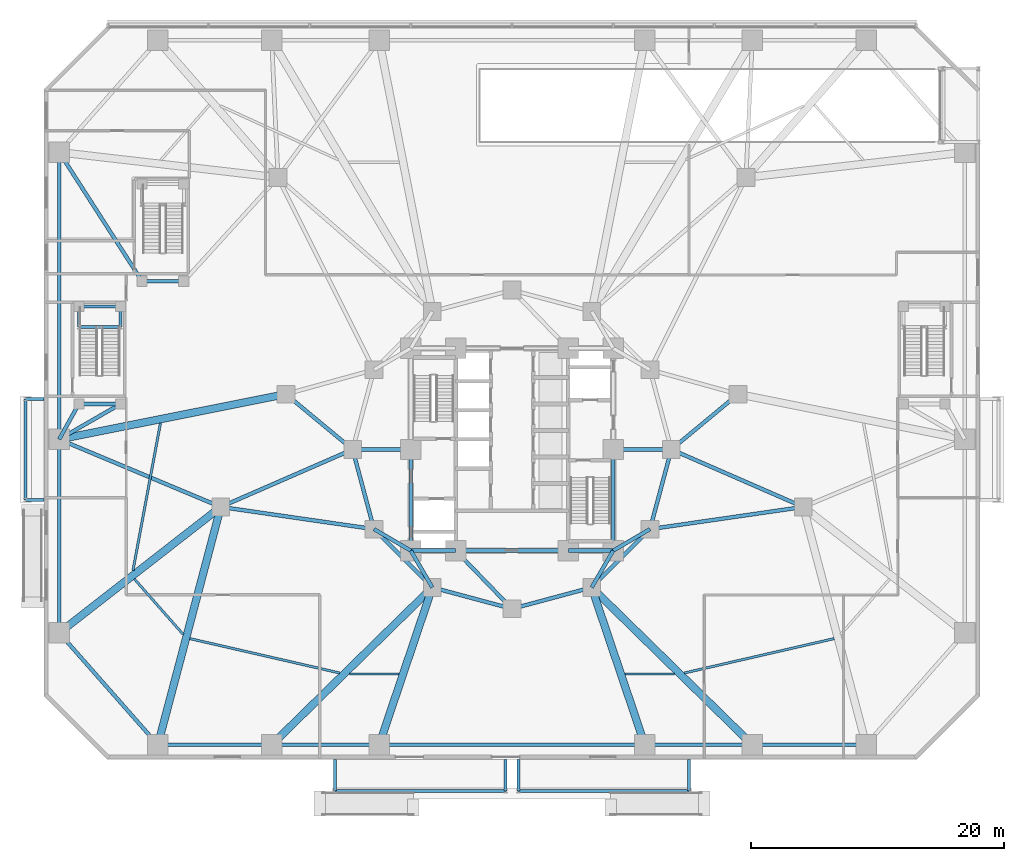
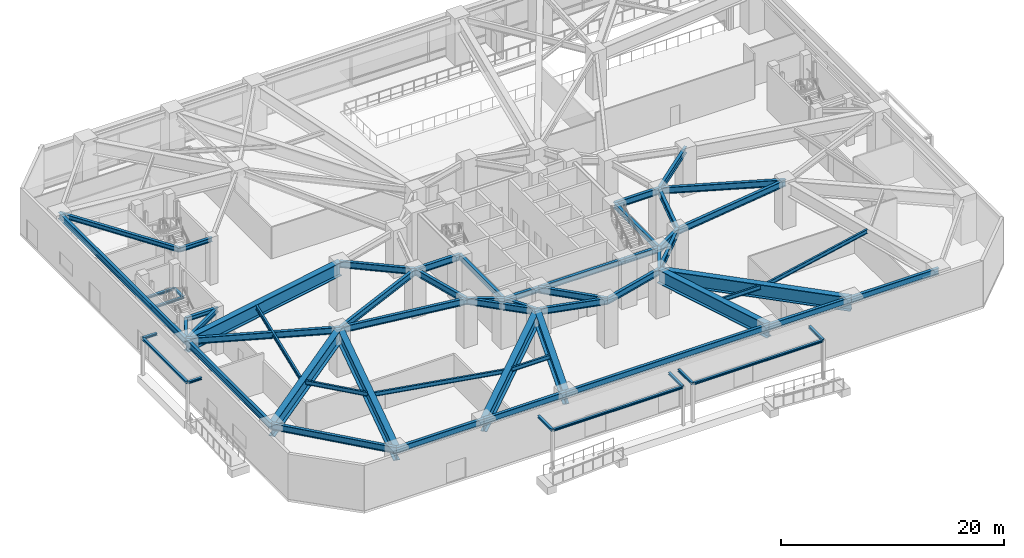
# One storey, part 8 of 30: 64 beams.
"""IFC4 building model written with IfcOpenShell, lengths in metres."""

from ifc_helpers import new_model, si_unit, direction, frame, origin, origin_2d, place, context, subcontext, project, spatial, i_section, extrude, material, material_profile, profile_set, type_object, element, save


model = new_model("IFC4")

# Units and contexts
model_context = context("Model", 3, precision=1e-05, world=origin(), true_north=direction((0.0, 1.0)))
body_context = subcontext(model_context, "Body", "Model", "MODEL_VIEW")
ifc_project = project(units=[si_unit("LENGTHUNIT", "METRE"), si_unit("AREAUNIT", "SQUARE_METRE"), si_unit("VOLUMEUNIT", "CUBIC_METRE"), si_unit("PLANEANGLEUNIT", "RADIAN"), si_unit("MASSUNIT", "GRAM", prefix="KILO")], contexts=[model_context])

# Site, building, storey
site_placement = place(None, origin())
site = spatial("IfcSite", under=ifc_project, at=site_placement, CompositionType="ELEMENT")
building_placement = place(site_placement, origin())
building = spatial("IfcBuilding", under=site, at=building_placement, Name="Terralouvre Media Tower", CompositionType="ELEMENT")
storey_placement = place(building_placement, origin())
storey = spatial("IfcBuildingStorey", under=building, at=storey_placement, Name="L00", CompositionType="ELEMENT", Elevation=0.0)

# Beams
ifc_material_1 = material(Name="Structural steel S355J2", Category="steel")
ifc_material_profile_1 = material_profile(ifc_material_1, i_section(OverallWidth=0.18994140625, OverallDepth=0.449951171875, WebThickness=0.009521484375, FlangeThickness=0.0146484375, at=origin_2d()), Name="IPE 450")
ifc_profile_set_1 = profile_set([ifc_material_profile_1], Name="Structural steel S355J2")
beam_type_1 = type_object("IfcBeamType", Name="Composite Floor Joist J-IPE450 (IPE 450)", PredefinedType="JOIST", material=ifc_profile_set_1)
beam_1_placement = place(storey_placement, frame((-29.853759765625, -10.244873046875, 4.72509765625), z_axis=(0.661194993308, -0.750214089994, 0.0), x_axis=(0.750214089994, 0.661194993308, 0.0)))
element("IfcBeam", 1, at=beam_1_placement, inside=storey, type_object=beam_type_1, Name="L00 Framing Beam JT-L00-01", PredefinedType="JOIST", context=body_context, shape_type="SweptSolid", body=[
    extrude(i_section(OverallWidth=0.18994140625, OverallDepth=0.449951171875, WebThickness=0.009521484375, FlangeThickness=0.0146484375, at=origin_2d()), origin(), (0.0, 0.0, 1.0), 5.830810546875),
])
beam_2_placement = place(storey_placement, frame((-25.470703125, -14.955322265625, 4.72509765625), z_axis=(0.974645278139, -0.223755629651, 0.0), x_axis=(0.223755629651, 0.974645278139, 0.0)))
element("IfcBeam", 2, at=beam_2_placement, inside=storey, type_object=beam_type_1, Name="L00 Framing Beam JT-L00-02", PredefinedType="JOIST", context=body_context, shape_type="SweptSolid", body=[
    extrude(i_section(OverallWidth=0.18994140625, OverallDepth=0.449951171875, WebThickness=0.009521484375, FlangeThickness=0.0146484375, at=origin_2d()), origin(), (0.0, 0.0, 1.0), 12.1484375),
])
for number, where, z_axis, x_axis, name in (
    (3, (-12.858154296875, -17.7529296875, 4.72509765625), (1.0, 0.0, 0.0), (0.0, 1.0, 0.0), "L00 Framing Beam JT-L00-03"),
    (4, (8.924560546875, -17.7529296875, 4.72509765625), (1.0, 0.0, 0.0), (0.0, 1.0, 0.0), "L00 Framing Beam JT-L00-05"),
):
    element("IfcBeam", number, at=place(storey_placement, frame(where, z_axis=z_axis, x_axis=x_axis)), inside=storey, type_object=beam_type_1, Name=name, PredefinedType="JOIST", context=body_context, shape_type="SweptSolid", body=[
        extrude(i_section(OverallWidth=0.18994140625, OverallDepth=0.449951171875, WebThickness=0.009521484375, FlangeThickness=0.0146484375, at=origin_2d()), origin(), (0.0, 0.0, 1.0), 3.93359375),
    ])
beam_3_placement = place(storey_placement, frame((13.63037109375, -17.673583984375, 4.72509765625), z_axis=(0.974645278139, 0.223755629651, 0.0), x_axis=(-0.223755629651, 0.974645278139, 0.0)))
element("IfcBeam", 5, at=beam_3_placement, inside=storey, type_object=beam_type_1, Name="L00 Framing Beam JT-L00-06", PredefinedType="JOIST", context=body_context, shape_type="SweptSolid", body=[
    extrude(i_section(OverallWidth=0.18994140625, OverallDepth=0.449951171875, WebThickness=0.009521484375, FlangeThickness=0.0146484375, at=origin_2d()), origin(), (0.0, 0.0, 1.0), 12.1484375),
])
beam_4_placement = place(storey_placement, frame((-27.79248046875, 2.09228515625, 4.72509765625), z_axis=(-0.183297587005, -0.983057472683, 0.0), x_axis=(0.983057472683, -0.183297587005, 0.0)))
element("IfcBeam", 6, at=beam_4_placement, inside=storey, type_object=beam_type_1, Name="L00 Framing Beam JT-L00-18", PredefinedType="JOIST", context=body_context, shape_type="SweptSolid", body=[
    extrude(i_section(OverallWidth=0.18994140625, OverallDepth=0.449951171875, WebThickness=0.009521484375, FlangeThickness=0.0146484375, at=origin_2d()), origin(), (0.0, 0.0, 1.0), 11.87158203125),
])
ifc_material_2 = material(Name="Structural steel S355J2", Category="steel")
ifc_material_profile_2 = material_profile(ifc_material_2, i_section(OverallWidth=0.239990234375, OverallDepth=0.239990234375, WebThickness=0.010009765625, FlangeThickness=0.01708984375, at=origin_2d()), Name="HEB 240")
ifc_profile_set_2 = profile_set([ifc_material_profile_2], Name="Structural steel S355J2")
beam_type_2 = type_object("IfcBeamType", Name="Opening Lintel Beam LN-240H (HEB 240)", PredefinedType="LINTEL", material=ifc_profile_set_2)
beam_5_placement = place(storey_placement, frame((-14.0, -27.0, 4.080078125), z_axis=(1.0, 0.0, 0.0), x_axis=(0.0, 1.0, 0.0)))
element("IfcBeam", 7, at=beam_5_placement, inside=storey, type_object=beam_type_2, Name="L00 Canopy Framing Beam CANS1-1", PredefinedType="LINTEL", context=body_context, shape_type="SweptSolid", body=[
    extrude(i_section(OverallWidth=0.239990234375, OverallDepth=0.239990234375, WebThickness=0.010009765625, FlangeThickness=0.01708984375, at=origin_2d()), origin(), (0.0, 0.0, 1.0), 13.5),
])
for number, where, z_axis, x_axis, name in (
    (8, (-14.0, -27.0, 4.080078125), (0.0, 1.0, 0.0), (-1.0, 0.0, 0.0), "L00 Canopy Framing Beam CANS1-2"),
    (9, (-0.5, -27.0, 4.080078125), (0.0, 1.0, 0.0), (-1.0, 0.0, 0.0), "L00 Canopy Framing Beam CANS1-3"),
):
    element("IfcBeam", number, at=place(storey_placement, frame(where, z_axis=z_axis, x_axis=x_axis)), inside=storey, type_object=beam_type_2, Name=name, PredefinedType="LINTEL", context=body_context, shape_type="SweptSolid", body=[
        extrude(i_section(OverallWidth=0.239990234375, OverallDepth=0.239990234375, WebThickness=0.010009765625, FlangeThickness=0.01708984375, at=origin_2d()), origin(), (0.0, 0.0, 1.0), 2.5),
    ])
beam_6_placement = place(storey_placement, frame((0.5, -27.0, 4.080078125), z_axis=(1.0, 0.0, 0.0), x_axis=(0.0, 1.0, 0.0)))
element("IfcBeam", 10, at=beam_6_placement, inside=storey, type_object=beam_type_2, Name="L00 Canopy Framing Beam CANS2-1", PredefinedType="LINTEL", context=body_context, shape_type="SweptSolid", body=[
    extrude(i_section(OverallWidth=0.239990234375, OverallDepth=0.239990234375, WebThickness=0.010009765625, FlangeThickness=0.01708984375, at=origin_2d()), origin(), (0.0, 0.0, 1.0), 13.5),
])
for number, where, z_axis, x_axis, name in (
    (11, (0.5, -27.0, 4.080078125), (0.0, 1.0, 0.0), (-1.0, 0.0, 0.0), "L00 Canopy Framing Beam CANS2-2"),
    (12, (14.0, -27.0, 4.080078125), (0.0, 1.0, 0.0), (-1.0, 0.0, 0.0), "L00 Canopy Framing Beam CANS2-3"),
):
    element("IfcBeam", number, at=place(storey_placement, frame(where, z_axis=z_axis, x_axis=x_axis)), inside=storey, type_object=beam_type_2, Name=name, PredefinedType="LINTEL", context=body_context, shape_type="SweptSolid", body=[
        extrude(i_section(OverallWidth=0.239990234375, OverallDepth=0.239990234375, WebThickness=0.010009765625, FlangeThickness=0.01708984375, at=origin_2d()), origin(), (0.0, 0.0, 1.0), 2.5),
    ])
beam_7_placement = place(storey_placement, frame((-38.449951171875, -4.0, 3.8798828125), z_axis=(0.0, 1.0, 0.0), x_axis=(-1.0, 0.0, 0.0)))
element("IfcBeam", 13, at=beam_7_placement, inside=storey, type_object=beam_type_2, Name="L00 Canopy Framing Beam CANW1-1", PredefinedType="LINTEL", context=body_context, shape_type="SweptSolid", body=[
    extrude(i_section(OverallWidth=0.239990234375, OverallDepth=0.239990234375, WebThickness=0.010009765625, FlangeThickness=0.01708984375, at=origin_2d()), origin(), (0.0, 0.0, 1.0), 8.0),
])
for number, where, z_axis, x_axis, name in (
    (14, (-38.449951171875, -4.0, 3.8798828125), (1.0, 0.0, 0.0), (0.0, 1.0, 0.0), "L00 Canopy Framing Beam CANW1-2"),
    (15, (-38.449951171875, 4.0, 3.8798828125), (1.0, 0.0, 0.0), (0.0, 1.0, 0.0), "L00 Canopy Framing Beam CANW1-3"),
):
    element("IfcBeam", number, at=place(storey_placement, frame(where, z_axis=z_axis, x_axis=x_axis)), inside=storey, type_object=beam_type_2, Name=name, PredefinedType="LINTEL", context=body_context, shape_type="SweptSolid", body=[
        extrude(i_section(OverallWidth=0.239990234375, OverallDepth=0.239990234375, WebThickness=0.010009765625, FlangeThickness=0.01708984375, at=origin_2d()), origin(), (0.0, 0.0, 1.0), 1.449951171875),
    ])
for number, where, z_axis, x_axis, name in (
    (16, (-34.25, 9.679931640625, 2.280029296875), (0.0, 1.0, 0.0), (-1.0, 0.0, 0.0), "L00 ST-03 Intermediate Landing Support Beam 1W"),
    (17, (-30.949951171875, 9.679931640625, 2.280029296875), (0.0, 1.0, 0.0), (-1.0, 0.0, 0.0), "L00 ST-03 Intermediate Landing Support Beam 1E"),
):
    element("IfcBeam", number, at=place(storey_placement, frame(where, z_axis=z_axis, x_axis=x_axis)), inside=storey, type_object=beam_type_2, Name=name, PredefinedType="LINTEL", context=body_context, shape_type="SweptSolid", body=[
        extrude(i_section(OverallWidth=0.239990234375, OverallDepth=0.239990234375, WebThickness=0.010009765625, FlangeThickness=0.01708984375, at=origin_2d()), origin(), (0.0, 0.0, 1.0), 1.6201171875),
    ])
for number, where, z_axis, x_axis, name in (
    (18, (-34.25, 9.679931640625, 2.280029296875), (1.0, 0.0, 0.0), (0.0, 1.0, 0.0), "L00 ST-03 Intermediate Landing Support Beam 1S"),
    (19, (-34.25, 11.300048828125, 2.280029296875), (1.0, 0.0, 0.0), (0.0, 1.0, 0.0), "L00 ST-03 Intermediate Landing Support Beam 1X"),
):
    element("IfcBeam", number, at=place(storey_placement, frame(where, z_axis=z_axis, x_axis=x_axis)), inside=storey, type_object=beam_type_2, Name=name, PredefinedType="LINTEL", context=body_context, shape_type="SweptSolid", body=[
        extrude(i_section(OverallWidth=0.239990234375, OverallDepth=0.239990234375, WebThickness=0.010009765625, FlangeThickness=0.01708984375, at=origin_2d()), origin(), (0.0, 0.0, 1.0), 3.300048828125),
    ])
ifc_material_3 = material(Name="Structural steel S355J2", Category="steel")
ifc_material_profile_3 = material_profile(ifc_material_3, i_section(OverallWidth=0.300048828125, OverallDepth=0.449951171875, WebThickness=0.013916015625, FlangeThickness=0.02587890625, at=origin_2d()), Name="HEB 450")
ifc_profile_set_3 = profile_set([ifc_material_profile_3], Name="Structural steel S355J2")
beam_type_3 = type_object("IfcBeamType", Name="Primary Floor Girder B-HEB450 (HEB 450)", PredefinedType="BEAM", material=ifc_profile_set_3)
for number, where, z_axis, x_axis, name in (
    (20, (-34.25, 3.60009765625, 4.72509765625), (1.0, 0.0, 0.0), (0.0, 1.0, 0.0), "L00 Framing Beam BM-L00-PVST31"),
    (21, (-29.25, 13.300048828125, 4.72509765625), (1.0, 0.0, 0.0), (0.0, 1.0, 0.0), "L00 Framing Beam BM-L00-PVST61"),
):
    element("IfcBeam", number, at=place(storey_placement, frame(where, z_axis=z_axis, x_axis=x_axis)), inside=storey, type_object=beam_type_3, Name=name, PredefinedType="BEAM", context=body_context, shape_type="SweptSolid", body=[
        extrude(i_section(OverallWidth=0.300048828125, OverallDepth=0.449951171875, WebThickness=0.013916015625, FlangeThickness=0.02587890625, at=origin_2d()), origin(), (0.0, 0.0, 1.0), 3.300048828125),
    ])
ifc_material_4 = material(Name="Structural steel S355J2", Category="steel")
ifc_material_profile_4 = material_profile(ifc_material_4, i_section(OverallWidth=0.300048828125, OverallDepth=0.5, WebThickness=0.014404296875, FlangeThickness=0.028076171875, at=origin_2d()), Name="HEB 500")
ifc_profile_set_4 = profile_set([ifc_material_profile_4], Name="Structural steel S355J2")
beam_type_4 = type_object("IfcBeamType", Name="Primary Floor Girder B-HEB500 (HEB 500)", PredefinedType="BEAM", material=ifc_profile_set_4)
beam_8_placement = place(storey_placement, frame((-34.25, 3.60009765625, 4.699951171875), z_axis=(-0.484321096397, -0.874890322032, 0.0), x_axis=(0.874890322032, -0.484321096397, 0.0)))
element("IfcBeam", 22, at=beam_8_placement, inside=storey, type_object=beam_type_4, Name="L00 Framing Beam BM-L00-PVTST31", PredefinedType="BEAM", context=body_context, shape_type="SweptSolid", body=[
    extrude(i_section(OverallWidth=0.300048828125, OverallDepth=0.5, WebThickness=0.014404296875, FlangeThickness=0.028076171875, at=origin_2d()), origin(), (0.0, 0.0, 1.0), 3.200439453125),
])
beam_9_placement = place(storey_placement, frame((-30.949951171875, 3.60009765625, 4.699951171875), z_axis=(-0.866037493094, -0.499979060117, 0.0), x_axis=(0.499979060117, -0.866037493094, 0.0)))
element("IfcBeam", 23, at=beam_9_placement, inside=storey, type_object=beam_type_4, Name="L00 Framing Beam BM-L00-PVTST32", PredefinedType="BEAM", context=body_context, shape_type="SweptSolid", body=[
    extrude(i_section(OverallWidth=0.300048828125, OverallDepth=0.5, WebThickness=0.014404296875, FlangeThickness=0.028076171875, at=origin_2d()), origin(), (0.0, 0.0, 1.0), 5.600341796875),
])
beam_10_placement = place(storey_placement, frame((-29.25, 13.300048828125, 4.699951171875), z_axis=(-0.540345267359, 0.841443398003, 0.0), x_axis=(-0.841443398003, -0.540345267359, 0.0)))
element("IfcBeam", 24, at=beam_10_placement, inside=storey, type_object=beam_type_4, Name="L00 Framing Beam BM-L00-PVTST61", PredefinedType="BEAM", context=body_context, shape_type="SweptSolid", body=[
    extrude(i_section(OverallWidth=0.300048828125, OverallDepth=0.5, WebThickness=0.014404296875, FlangeThickness=0.028076171875, at=origin_2d()), origin(), (0.0, 0.0, 1.0), 12.1220703125),
])
ifc_material_5 = material(Name="Structural steel S460M", Category="steel")
ifc_material_profile_5 = material_profile(ifc_material_5, i_section(OverallWidth=0.300048828125, OverallDepth=0.60009765625, WebThickness=0.015380859375, FlangeThickness=0.030029296875, at=origin_2d()), Name="HEB 600")
ifc_profile_set_5 = profile_set([ifc_material_profile_5], Name="Structural steel S460M")
beam_type_5 = type_object("IfcBeamType", Name="Primary Floor Girder B-HEB600 (HEB 600)", PredefinedType="BEAM", material=ifc_profile_set_5)
beam_11_placement = place(storey_placement, frame((-8.0, -8.0, 4.64990234375), z_axis=(1.0, 0.0, 0.0), x_axis=(0.0, 1.0, 0.0)))
element("IfcBeam", 25, at=beam_11_placement, inside=storey, type_object=beam_type_5, Name="L00 Framing Beam BM-L00-CPR01", PredefinedType="BEAM", context=body_context, shape_type="SweptSolid", body=[
    extrude(i_section(OverallWidth=0.300048828125, OverallDepth=0.60009765625, WebThickness=0.015380859375, FlangeThickness=0.030029296875, at=origin_2d()), origin(), (0.0, 0.0, 1.0), 3.550048828125),
])
beam_12_placement = place(storey_placement, frame((-4.449951171875, -8.0, 4.64990234375), z_axis=(1.0, 0.0, 0.0), x_axis=(0.0, 1.0, 0.0)))
element("IfcBeam", 26, at=beam_12_placement, inside=storey, type_object=beam_type_5, Name="L00 Framing Beam BM-L00-CPR02", PredefinedType="BEAM", context=body_context, shape_type="SweptSolid", body=[
    extrude(i_section(OverallWidth=0.300048828125, OverallDepth=0.60009765625, WebThickness=0.015380859375, FlangeThickness=0.030029296875, at=origin_2d()), origin(), (0.0, 0.0, 1.0), 8.89990234375),
])
beam_13_placement = place(storey_placement, frame((4.449951171875, -8.0, 4.64990234375), z_axis=(1.0, 0.0, 0.0), x_axis=(0.0, 1.0, 0.0)))
element("IfcBeam", 27, at=beam_13_placement, inside=storey, type_object=beam_type_5, Name="L00 Framing Beam BM-L00-CPR03", PredefinedType="BEAM", context=body_context, shape_type="SweptSolid", body=[
    extrude(i_section(OverallWidth=0.300048828125, OverallDepth=0.60009765625, WebThickness=0.015380859375, FlangeThickness=0.030029296875, at=origin_2d()), origin(), (0.0, 0.0, 1.0), 3.550048828125),
])
for number, where, z_axis, x_axis, name in (
    (28, (8.0, -8.0, 4.64990234375), (0.0, 1.0, 0.0), (-1.0, 0.0, 0.0), "L00 Framing Beam BM-L00-CPR04"),
    (29, (-8.0, 0.0, 4.64990234375), (0.0, -1.0, 0.0), (1.0, 0.0, 0.0), "L00 Framing Beam BM-L00-CPR10"),
):
    element("IfcBeam", number, at=place(storey_placement, frame(where, z_axis=z_axis, x_axis=x_axis)), inside=storey, type_object=beam_type_5, Name=name, PredefinedType="BEAM", context=body_context, shape_type="SweptSolid", body=[
        extrude(i_section(OverallWidth=0.300048828125, OverallDepth=0.60009765625, WebThickness=0.015380859375, FlangeThickness=0.030029296875, at=origin_2d()), origin(), (0.0, 0.0, 1.0), 8.0),
    ])
ifc_material_6 = material(Name="Structural steel S460M", Category="steel")
ifc_material_profile_6 = material_profile(ifc_material_6, i_section(OverallWidth=0.300048828125, OverallDepth=0.699951171875, WebThickness=0.01708984375, FlangeThickness=0.031982421875, at=origin_2d()), Name="HEB 700")
ifc_profile_set_6 = profile_set([ifc_material_profile_6], Name="Structural steel S460M")
beam_type_6 = type_object("IfcBeamType", Name="Primary Floor Girder B-HEB700 (HEB 700)", PredefinedType="BEAM", material=ifc_profile_set_6)
beam_14_placement = place(storey_placement, frame((-10.911865234375, -6.300048828125, 4.60009765625), z_axis=(0.707106781187, -0.707106781187, 0.0), x_axis=(0.707106781187, 0.707106781187, 0.0)))
element("IfcBeam", 30, at=beam_14_placement, inside=storey, type_object=beam_type_6, Name="L00 Framing Beam BM-L00-MR01", PredefinedType="BEAM", context=body_context, shape_type="SweptSolid", body=[
    extrude(i_section(OverallWidth=0.300048828125, OverallDepth=0.699951171875, WebThickness=0.01708984375, FlangeThickness=0.031982421875, at=origin_2d()), origin(), (0.0, 0.0, 1.0), 6.52197265625),
])
for number, where, z_axis, x_axis, name in (
    (31, (-6.300048828125, -10.911865234375, 4.60009765625), (0.965920481897, -0.258838989821, 0.0), (0.258838989821, 0.965920481897, 0.0), "L00 Framing Beam BM-L00-MR02"),
    (32, (0.0, -12.60009765625, 4.60009765625), (0.965920481897, 0.258838989821, 0.0), (-0.258838989821, 0.965920481897, 0.0), "L00 Framing Beam BM-L00-MR03"),
):
    element("IfcBeam", number, at=place(storey_placement, frame(where, z_axis=z_axis, x_axis=x_axis)), inside=storey, type_object=beam_type_6, Name=name, PredefinedType="BEAM", context=body_context, shape_type="SweptSolid", body=[
        extrude(i_section(OverallWidth=0.300048828125, OverallDepth=0.699951171875, WebThickness=0.01708984375, FlangeThickness=0.031982421875, at=origin_2d()), origin(), (0.0, 0.0, 1.0), 6.522216796875),
    ])
beam_15_placement = place(storey_placement, frame((6.300048828125, -10.911865234375, 4.60009765625), z_axis=(0.707106781187, 0.707106781187, 0.0), x_axis=(-0.707106781187, 0.707106781187, 0.0)))
element("IfcBeam", 33, at=beam_15_placement, inside=storey, type_object=beam_type_6, Name="L00 Framing Beam BM-L00-MR04", PredefinedType="BEAM", context=body_context, shape_type="SweptSolid", body=[
    extrude(i_section(OverallWidth=0.300048828125, OverallDepth=0.699951171875, WebThickness=0.01708984375, FlangeThickness=0.031982421875, at=origin_2d()), origin(), (0.0, 0.0, 1.0), 6.52197265625),
])
for number, where, z_axis, x_axis, name in (
    (34, (10.911865234375, -6.300048828125, 4.60009765625), (0.258838989821, 0.965920481897, 0.0), (-0.965920481897, 0.258838989821, 0.0), "L00 Framing Beam BM-L00-MR05"),
    (35, (-12.60009765625, 0.0, 4.60009765625), (0.258838989821, -0.965920481897, 0.0), (0.965920481897, 0.258838989821, 0.0), "L00 Framing Beam BM-L00-MR12"),
):
    element("IfcBeam", number, at=place(storey_placement, frame(where, z_axis=z_axis, x_axis=x_axis)), inside=storey, type_object=beam_type_6, Name=name, PredefinedType="BEAM", context=body_context, shape_type="SweptSolid", body=[
        extrude(i_section(OverallWidth=0.300048828125, OverallDepth=0.699951171875, WebThickness=0.01708984375, FlangeThickness=0.031982421875, at=origin_2d()), origin(), (0.0, 0.0, 1.0), 6.522216796875),
    ])
for number, where, z_axis, x_axis, name in (
    (36, (-8.0, -8.0, 4.60009765625), (-0.863602894532, 0.504172629717, 0.0), (-0.504172629717, -0.863602894532, 0.0), "L00 Framing Beam BM-L00-CM01"),
    (37, (-8.0, -8.0, 4.60009765625), (0.504172629717, -0.863602894532, 0.0), (0.863602894532, 0.504172629717, 0.0), "L00 Framing Beam BM-L00-CM02"),
):
    element("IfcBeam", number, at=place(storey_placement, frame(where, z_axis=z_axis, x_axis=x_axis)), inside=storey, type_object=beam_type_6, Name=name, PredefinedType="BEAM", context=body_context, shape_type="SweptSolid", body=[
        extrude(i_section(OverallWidth=0.300048828125, OverallDepth=0.699951171875, WebThickness=0.01708984375, FlangeThickness=0.031982421875, at=origin_2d()), origin(), (0.0, 0.0, 1.0), 3.371826171875),
    ])
beam_16_placement = place(storey_placement, frame((-4.449951171875, -8.0, 4.60009765625), z_axis=(0.695279715726, -0.718739255155, 0.0), x_axis=(0.718739255155, 0.695279715726, 0.0)))
element("IfcBeam", 38, at=beam_16_placement, inside=storey, type_object=beam_type_6, Name="L00 Framing Beam BM-L00-CM03", PredefinedType="BEAM", context=body_context, shape_type="SweptSolid", body=[
    extrude(i_section(OverallWidth=0.300048828125, OverallDepth=0.699951171875, WebThickness=0.01708984375, FlangeThickness=0.031982421875, at=origin_2d()), origin(), (0.0, 0.0, 1.0), 6.400146484375),
])
for number, where, z_axis, x_axis, name in (
    (39, (8.0, -8.0, 4.60009765625), (-0.504172629717, -0.863602894532, 0.0), (0.863602894532, -0.504172629717, 0.0), "L00 Framing Beam BM-L00-CM04"),
    (40, (8.0, -8.0, 4.60009765625), (0.863602894532, 0.504172629717, 0.0), (-0.504172629717, 0.863602894532, 0.0), "L00 Framing Beam BM-L00-CM05"),
):
    element("IfcBeam", number, at=place(storey_placement, frame(where, z_axis=z_axis, x_axis=x_axis)), inside=storey, type_object=beam_type_6, Name=name, PredefinedType="BEAM", context=body_context, shape_type="SweptSolid", body=[
        extrude(i_section(OverallWidth=0.300048828125, OverallDepth=0.699951171875, WebThickness=0.01708984375, FlangeThickness=0.031982421875, at=origin_2d()), origin(), (0.0, 0.0, 1.0), 3.371826171875),
    ])
for number, where, z_axis, x_axis, name in (
    (41, (8.0, 0.0, 4.60009765625), (1.0, 0.0, 0.0), (0.0, 1.0, 0.0), "L00 Framing Beam BM-L00-CM06"),
    (42, (-8.0, 0.0, 4.60009765625), (-1.0, 0.0, 0.0), (0.0, -1.0, 0.0), "L00 Framing Beam BM-L00-CM12"),
):
    element("IfcBeam", number, at=place(storey_placement, frame(where, z_axis=z_axis, x_axis=x_axis)), inside=storey, type_object=beam_type_6, Name=name, PredefinedType="BEAM", context=body_context, shape_type="SweptSolid", body=[
        extrude(i_section(OverallWidth=0.300048828125, OverallDepth=0.699951171875, WebThickness=0.01708984375, FlangeThickness=0.031982421875, at=origin_2d()), origin(), (0.0, 0.0, 1.0), 4.60009765625),
    ])
beam_17_placement = place(storey_placement, frame((12.60009765625, 0.0, 4.60009765625), z_axis=(0.916615903868, -0.399769039291, 0.0), x_axis=(0.399769039291, 0.916615903868, 0.0)))
element("IfcBeam", 43, at=beam_17_placement, inside=storey, type_object=beam_type_6, Name="L00 Framing Beam BM-L00-PM21M1", PredefinedType="BEAM", context=body_context, shape_type="SweptSolid", body=[
    extrude(i_section(OverallWidth=0.300048828125, OverallDepth=0.699951171875, WebThickness=0.01708984375, FlangeThickness=0.031982421875, at=origin_2d()), origin(), (0.0, 0.0, 1.0), 11.373046875),
])
beam_18_placement = place(storey_placement, frame((10.911865234375, -6.300048828125, 4.60009765625), z_axis=(0.989684877742, 0.143261448996, 0.0), x_axis=(-0.143261448996, 0.989684877742, 0.0)))
element("IfcBeam", 44, at=beam_18_placement, inside=storey, type_object=beam_type_6, Name="L00 Framing Beam BM-L00-PM21M2", PredefinedType="BEAM", context=body_context, shape_type="SweptSolid", body=[
    extrude(i_section(OverallWidth=0.300048828125, OverallDepth=0.699951171875, WebThickness=0.01708984375, FlangeThickness=0.031982421875, at=origin_2d()), origin(), (0.0, 0.0, 1.0), 12.2392578125),
])
for number, where, z_axis, x_axis, name in (
    (45, (12.60009765625, 0.0, 4.60009765625), (0.769816459478, 0.638265320001, 0.0), (-0.638265320001, 0.769816459478, 0.0), "L00 Framing Beam BM-L00-PM22M1"),
    (46, (-12.60009765625, 0.0, 4.60009765625), (-0.769816459478, 0.638265320001, 0.0), (-0.638265320001, -0.769816459478, 0.0), "L00 Framing Beam BM-L00-PM23M1"),
):
    element("IfcBeam", number, at=place(storey_placement, frame(where, z_axis=z_axis, x_axis=x_axis)), inside=storey, type_object=beam_type_6, Name=name, PredefinedType="BEAM", context=body_context, shape_type="SweptSolid", body=[
        extrude(i_section(OverallWidth=0.300048828125, OverallDepth=0.699951171875, WebThickness=0.01708984375, FlangeThickness=0.031982421875, at=origin_2d()), origin(), (0.0, 0.0, 1.0), 6.851806640625),
    ])
beam_19_placement = place(storey_placement, frame((-12.60009765625, 0.0, 4.60009765625), z_axis=(-0.916615903868, -0.399769039291, 0.0), x_axis=(0.399769039291, -0.916615903868, 0.0)))
element("IfcBeam", 47, at=beam_19_placement, inside=storey, type_object=beam_type_6, Name="L00 Framing Beam BM-L00-PM24M1", PredefinedType="BEAM", context=body_context, shape_type="SweptSolid", body=[
    extrude(i_section(OverallWidth=0.300048828125, OverallDepth=0.699951171875, WebThickness=0.01708984375, FlangeThickness=0.031982421875, at=origin_2d()), origin(), (0.0, 0.0, 1.0), 11.373046875),
])
beam_20_placement = place(storey_placement, frame((-10.911865234375, -6.300048828125, 4.60009765625), z_axis=(-0.989684877742, 0.143261448996, 0.0), x_axis=(-0.143261448996, -0.989684877742, 0.0)))
element("IfcBeam", 48, at=beam_20_placement, inside=storey, type_object=beam_type_6, Name="L00 Framing Beam BM-L00-PM24M2", PredefinedType="BEAM", context=body_context, shape_type="SweptSolid", body=[
    extrude(i_section(OverallWidth=0.300048828125, OverallDepth=0.699951171875, WebThickness=0.01708984375, FlangeThickness=0.031982421875, at=origin_2d()), origin(), (0.0, 0.0, 1.0), 12.2392578125),
])
beam_21_placement = place(storey_placement, frame((-23.02490234375, -4.546630859375, 4.60009765625), z_axis=(-0.922468147364, 0.386073201737, 0.0), x_axis=(-0.386073201737, -0.922468147364, 0.0)))
element("IfcBeam", 49, at=beam_21_placement, inside=storey, type_object=beam_type_6, Name="L00 Framing Beam BM-L00-PM24P1", PredefinedType="BEAM", context=body_context, shape_type="SweptSolid", body=[
    extrude(i_section(OverallWidth=0.300048828125, OverallDepth=0.699951171875, WebThickness=0.01708984375, FlangeThickness=0.031982421875, at=origin_2d()), origin(), (0.0, 0.0, 1.0), 13.848876953125),
])
beam_22_placement = place(storey_placement, frame((-35.800048828125, -14.5, 4.60009765625), z_axis=(0.661199207896, -0.75021037548, 0.0), x_axis=(0.75021037548, 0.661199207896, 0.0)))
element("IfcBeam", 50, at=beam_22_placement, inside=storey, type_object=beam_type_6, Name="L00 Framing Beam BM-L00-PR01", PredefinedType="BEAM", context=body_context, shape_type="SweptSolid", body=[
    extrude(i_section(OverallWidth=0.300048828125, OverallDepth=0.699951171875, WebThickness=0.01708984375, FlangeThickness=0.031982421875, at=origin_2d()), origin(), (0.0, 0.0, 1.0), 11.796875),
])
beam_23_placement = place(storey_placement, frame((-28.0, -23.35009765625, 4.60009765625), z_axis=(1.0, 0.0, 0.0), x_axis=(0.0, 1.0, 0.0)))
element("IfcBeam", 51, at=beam_23_placement, inside=storey, type_object=beam_type_6, Name="L00 Framing Beam BM-L00-PR02", PredefinedType="BEAM", context=body_context, shape_type="SweptSolid", body=[
    extrude(i_section(OverallWidth=0.300048828125, OverallDepth=0.699951171875, WebThickness=0.01708984375, FlangeThickness=0.031982421875, at=origin_2d()), origin(), (0.0, 0.0, 1.0), 9.0),
])
beam_24_placement = place(storey_placement, frame((-19.0, -23.35009765625, 4.60009765625), z_axis=(1.0, 0.0, 0.0), x_axis=(0.0, 1.0, 0.0)))
element("IfcBeam", 52, at=beam_24_placement, inside=storey, type_object=beam_type_6, Name="L00 Framing Beam BM-L00-PR03", PredefinedType="BEAM", context=body_context, shape_type="SweptSolid", body=[
    extrude(i_section(OverallWidth=0.300048828125, OverallDepth=0.699951171875, WebThickness=0.01708984375, FlangeThickness=0.031982421875, at=origin_2d()), origin(), (0.0, 0.0, 1.0), 8.5),
])
beam_25_placement = place(storey_placement, frame((-10.5, -23.35009765625, 4.60009765625), z_axis=(1.0, 0.0, 0.0), x_axis=(0.0, 1.0, 0.0)))
element("IfcBeam", 53, at=beam_25_placement, inside=storey, type_object=beam_type_6, Name="L00 Framing Beam BM-L00-PR04", PredefinedType="BEAM", context=body_context, shape_type="SweptSolid", body=[
    extrude(i_section(OverallWidth=0.300048828125, OverallDepth=0.699951171875, WebThickness=0.01708984375, FlangeThickness=0.031982421875, at=origin_2d()), origin(), (0.0, 0.0, 1.0), 21.0),
])
beam_26_placement = place(storey_placement, frame((10.5, -23.35009765625, 4.60009765625), z_axis=(1.0, 0.0, 0.0), x_axis=(0.0, 1.0, 0.0)))
element("IfcBeam", 54, at=beam_26_placement, inside=storey, type_object=beam_type_6, Name="L00 Framing Beam BM-L00-PR05", PredefinedType="BEAM", context=body_context, shape_type="SweptSolid", body=[
    extrude(i_section(OverallWidth=0.300048828125, OverallDepth=0.699951171875, WebThickness=0.01708984375, FlangeThickness=0.031982421875, at=origin_2d()), origin(), (0.0, 0.0, 1.0), 8.5),
])
beam_27_placement = place(storey_placement, frame((19.0, -23.35009765625, 4.60009765625), z_axis=(1.0, 0.0, 0.0), x_axis=(0.0, 1.0, 0.0)))
element("IfcBeam", 55, at=beam_27_placement, inside=storey, type_object=beam_type_6, Name="L00 Framing Beam BM-L00-PR06", PredefinedType="BEAM", context=body_context, shape_type="SweptSolid", body=[
    extrude(i_section(OverallWidth=0.300048828125, OverallDepth=0.699951171875, WebThickness=0.01708984375, FlangeThickness=0.031982421875, at=origin_2d()), origin(), (0.0, 0.0, 1.0), 9.0),
])
beam_28_placement = place(storey_placement, frame((-35.800048828125, 23.5, 4.60009765625), z_axis=(0.0, -1.0, 0.0), x_axis=(1.0, 0.0, 0.0)))
element("IfcBeam", 56, at=beam_28_placement, inside=storey, type_object=beam_type_6, Name="L00 Framing Beam BM-L00-PR17", PredefinedType="BEAM", context=body_context, shape_type="SweptSolid", body=[
    extrude(i_section(OverallWidth=0.300048828125, OverallDepth=0.699951171875, WebThickness=0.01708984375, FlangeThickness=0.031982421875, at=origin_2d()), origin(), (0.0, 0.0, 1.0), 22.699951171875),
])
beam_29_placement = place(storey_placement, frame((-35.800048828125, 0.800048828125, 4.60009765625), z_axis=(0.0, -1.0, 0.0), x_axis=(1.0, 0.0, 0.0)))
element("IfcBeam", 57, at=beam_29_placement, inside=storey, type_object=beam_type_6, Name="L00 Framing Beam BM-L00-PR18", PredefinedType="BEAM", context=body_context, shape_type="SweptSolid", body=[
    extrude(i_section(OverallWidth=0.300048828125, OverallDepth=0.699951171875, WebThickness=0.01708984375, FlangeThickness=0.031982421875, at=origin_2d()), origin(), (0.0, 0.0, 1.0), 15.300048828125),
])
ifc_material_7 = material(Name="Structural steel S460M", Category="steel")
ifc_material_profile_7 = material_profile(ifc_material_7, i_section(OverallWidth=0.60009765625, OverallDepth=1.5, WebThickness=0.033935546875, FlangeThickness=0.054931640625, at=origin_2d()), Name="PG 1500x600")
ifc_profile_set_7 = profile_set([ifc_material_profile_7], Name="Structural steel S460M")
beam_type_7 = type_object("IfcBeamType", Name="Primary Floor Girder B-PG1500 (PG 1500x600)", PredefinedType="BEAM", material=ifc_profile_set_7)
beam_30_placement = place(storey_placement, frame((-23.02490234375, -4.546630859375, 4.199951171875), z_axis=(-0.788838921833, -0.614599996259, 0.0), x_axis=(0.614599996259, -0.788838921833, 0.0)))
element("IfcBeam", 58, at=beam_30_placement, inside=storey, type_object=beam_type_7, Name="L00 Framing Beam BM-L00-RD01", PredefinedType="BEAM", context=body_context, shape_type="SweptSolid", body=[
    extrude(i_section(OverallWidth=0.60009765625, OverallDepth=1.5, WebThickness=0.033935546875, FlangeThickness=0.054931640625, at=origin_2d()), origin(), (0.0, 0.0, 1.0), 16.19482421875),
])
beam_31_placement = place(storey_placement, frame((-23.02490234375, -4.546630859375, 4.199951171875), z_axis=(-0.25578250381, -0.966734353762, 0.0), x_axis=(0.966734353762, -0.25578250381, 0.0)))
element("IfcBeam", 59, at=beam_31_placement, inside=storey, type_object=beam_type_7, Name="L00 Framing Beam BM-L00-RD02", PredefinedType="BEAM", context=body_context, shape_type="SweptSolid", body=[
    extrude(i_section(OverallWidth=0.60009765625, OverallDepth=1.5, WebThickness=0.033935546875, FlangeThickness=0.054931640625, at=origin_2d()), origin(), (0.0, 0.0, 1.0), 19.450439453125),
])
beam_32_placement = place(storey_placement, frame((-6.300048828125, -10.911865234375, 4.199951171875), z_axis=(-0.714429895313, -0.69970702775, 0.0), x_axis=(0.69970702775, -0.714429895313, 0.0)))
element("IfcBeam", 60, at=beam_32_placement, inside=storey, type_object=beam_type_7, Name="L00 Framing Beam BM-L00-RD03", PredefinedType="BEAM", context=body_context, shape_type="SweptSolid", body=[
    extrude(i_section(OverallWidth=0.60009765625, OverallDepth=1.5, WebThickness=0.033935546875, FlangeThickness=0.054931640625, at=origin_2d()), origin(), (0.0, 0.0, 1.0), 17.7763671875),
])
for number, where, z_axis, x_axis, name in (
    (61, (-6.300048828125, -10.911865234375, 4.199951171875), (-0.319918670086, -0.947445008711, 0.0), (0.947445008711, -0.319918670086, 0.0), "L00 Framing Beam BM-L00-RD04"),
    (62, (6.300048828125, -10.911865234375, 4.199951171875), (0.319918670086, -0.947445008711, 0.0), (0.947445008711, 0.319918670086, 0.0), "L00 Framing Beam BM-L00-RD05"),
):
    element("IfcBeam", number, at=place(storey_placement, frame(where, z_axis=z_axis, x_axis=x_axis)), inside=storey, type_object=beam_type_7, Name=name, PredefinedType="BEAM", context=body_context, shape_type="SweptSolid", body=[
        extrude(i_section(OverallWidth=0.60009765625, OverallDepth=1.5, WebThickness=0.033935546875, FlangeThickness=0.054931640625, at=origin_2d()), origin(), (0.0, 0.0, 1.0), 13.128173828125),
    ])
beam_33_placement = place(storey_placement, frame((6.300048828125, -10.911865234375, 4.199951171875), z_axis=(0.714429895313, -0.69970702775, 0.0), x_axis=(0.69970702775, 0.714429895313, 0.0)))
element("IfcBeam", 63, at=beam_33_placement, inside=storey, type_object=beam_type_7, Name="L00 Framing Beam BM-L00-RD06", PredefinedType="BEAM", context=body_context, shape_type="SweptSolid", body=[
    extrude(i_section(OverallWidth=0.60009765625, OverallDepth=1.5, WebThickness=0.033935546875, FlangeThickness=0.054931640625, at=origin_2d()), origin(), (0.0, 0.0, 1.0), 17.7763671875),
])
beam_34_placement = place(storey_placement, frame((-17.874755859375, 4.373291015625, 4.199951171875), z_axis=(-0.980704802412, -0.19549447697, 0.0), x_axis=(0.19549447697, -0.980704802412, 0.0)))
element("IfcBeam", 64, at=beam_34_placement, inside=storey, type_object=beam_type_7, Name="L00 Framing Beam BM-L00-RD18", PredefinedType="BEAM", context=body_context, shape_type="SweptSolid", body=[
    extrude(i_section(OverallWidth=0.60009765625, OverallDepth=1.5, WebThickness=0.033935546875, FlangeThickness=0.054931640625, at=origin_2d()), origin(), (0.0, 0.0, 1.0), 18.278076171875),
])

save(model, "model.ifc")
